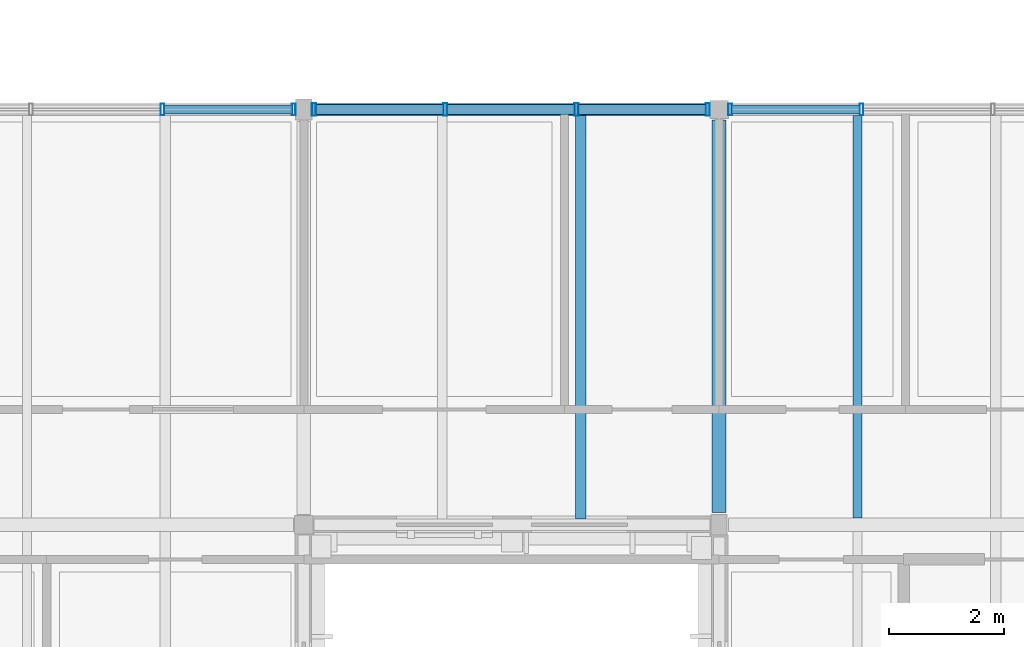
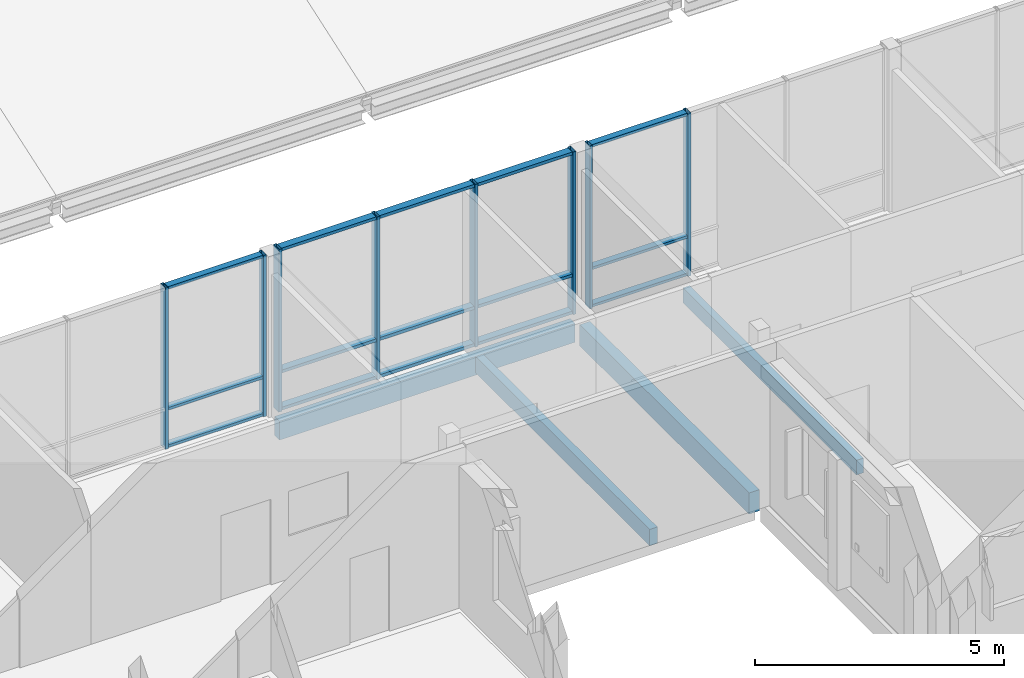
# One storey, part 14 of 115: 23 members, 4 beams, 3 elements without a shape of their own.
"""IFC4 building model written with IfcOpenShell, lengths in metres."""

import ifcopenshell
import ifcopenshell.guid

model = None  # the IFC model being written
_history = None  # IfcOwnerHistory: only IFC2X3 demands one
_inside = {}  # id of a spatial element -> (the spatial element, [elements in it])
_under = {}  # id of a project, library or spatial element -> (it, [spatial elements below it])
_declared = {}  # id of a project -> (the project, [libraries it declares])
_typed = {}  # id of a type object -> (the type object, [elements of that type])
_made_of = {}  # id of a material, layer set ... -> (it, [elements and type objects made of it])


def new_model(schema):
    """Start an empty IFC model of exactly this schema.

    Asked for "IFC4X3", IfcOpenShell would pick the latest addendum, in which some entities
    have other attributes; the version numbers below select the first issue.
    IFC2X3 requires an IfcOwnerHistory on every rooted entity: one is made here for all.
    """
    global model, _history
    if schema == "IFC4X3":
        model = ifcopenshell.file(schema_version=(4, 3, 0, 0))
    else:
        model = ifcopenshell.file(schema=schema)
    _inside.clear()
    _under.clear()
    _declared.clear()
    _typed.clear()
    _made_of.clear()
    _history = None
    if model.schema == "IFC2X3":
        org = make("IfcOrganization", Name="unknown")
        user = make(
            "IfcPersonAndOrganization",
            ThePerson=make("IfcPerson", FamilyName="unknown"),
            TheOrganization=org,
        )
        app = make(
            "IfcApplication",
            ApplicationDeveloper=org,
            Version="unknown",
            ApplicationFullName="unknown",
            ApplicationIdentifier="unknown",
        )
        _history = make(
            "IfcOwnerHistory",
            OwningUser=user,
            OwningApplication=app,
            ChangeAction="ADDED",
            CreationDate=0,
        )
    return model


def make(cls, **values):
    """One entity of the class cls with the attributes given. An attribute that is None is left unset."""
    return model.create_entity(
        cls, **{name: value for name, value in values.items() if value is not None}
    )


def rooted(cls, **values):
    """An entity with a GlobalId (a new one), such as an element, a storey or a relation."""
    return make(cls, GlobalId=ifcopenshell.guid.new(), OwnerHistory=_history, **values)


def si_unit(unit_type, name, prefix=None):
    """IfcSIUnit, for example si_unit("LENGTHUNIT", "METRE", prefix="MILLI")."""
    return make("IfcSIUnit", UnitType=unit_type, Prefix=prefix, Name=name)


def assignment(units):
    """IfcUnitAssignment: the units of a project."""
    return None if units is None else make("IfcUnitAssignment", Units=units)


def point(xyz):
    """IfcCartesianPoint."""
    return None if xyz is None else make("IfcCartesianPoint", Coordinates=xyz)


def direction(xyz):
    """IfcDirection."""
    return None if xyz is None else make("IfcDirection", DirectionRatios=xyz)


def frame(location, z_axis=None, x_axis=None):
    """IfcAxis2Placement3D, a coordinate frame: its origin and axes. An axis left out is left unset."""
    return make(
        "IfcAxis2Placement3D",
        Location=point(location),
        Axis=direction(z_axis),
        RefDirection=direction(x_axis),
    )


def frame_2d(location, x_axis=None):
    """IfcAxis2Placement2D, a coordinate frame in the plane: its origin and x axis."""
    return make(
        "IfcAxis2Placement2D", Location=point(location), RefDirection=direction(x_axis)
    )


def origin():
    """The frame at (0, 0, 0) with its axes left unset."""
    return frame((0.0, 0.0, 0.0))


def origin_2d():
    """The frame at (0, 0) in the plane with its x axis left unset."""
    return frame_2d((0.0, 0.0))


def place(relative_to, where):
    """IfcLocalPlacement: puts the frame where relative to a parent placement (None: the world)."""
    return make(
        "IfcLocalPlacement", PlacementRelTo=relative_to, RelativePlacement=where
    )


def context(
    kind, dimensions, precision=None, world=None, true_north=None, identifier=None
):
    """IfcGeometricRepresentationContext, for example the 3D "Model" context."""
    return make(
        "IfcGeometricRepresentationContext",
        ContextIdentifier=identifier,
        ContextType=kind,
        CoordinateSpaceDimension=dimensions,
        Precision=precision,
        WorldCoordinateSystem=world,
        TrueNorth=true_north,
    )


def subcontext(parent, identifier, kind, view, scale=None):
    """IfcGeometricRepresentationSubContext, for example "Body" below "Model"."""
    return make(
        "IfcGeometricRepresentationSubContext",
        ContextIdentifier=identifier,
        ContextType=kind,
        ParentContext=parent,
        TargetScale=scale,
        TargetView=view,
    )


def project(units=None, contexts=None):
    """IfcProject with its units and contexts."""
    return rooted(
        "IfcProject",
        Name="project",
        RepresentationContexts=contexts,
        UnitsInContext=assignment(units),
    )


def spatial(cls, under=None, at=None, **own):
    """A site, building, storey or space (cls), placed at a placement, below another one or the project."""
    s = rooted(cls, ObjectPlacement=at, **own)
    if under is not None:
        _under.setdefault(under.id(), (under, []))[1].append(s)
    return s


def profile(cls, at=None, kind="AREA", **sizes):
    """A parametric profile (cls). Its sizes go by their IFC names, for example OverallWidth=200.0."""
    return make(cls, ProfileType=kind, Position=at, **sizes)


def rectangle(**sizes):
    """IfcRectangleProfileDef."""
    return profile("IfcRectangleProfileDef", **sizes)


def hollow_rectangle(**sizes):
    """IfcRectangleHollowProfileDef."""
    return profile("IfcRectangleHollowProfileDef", **sizes)


def extrude(swept, where, along, depth):
    """IfcExtrudedAreaSolid: the profile swept, set in the frame where, extruded along a direction by depth."""
    return make(
        "IfcExtrudedAreaSolid",
        SweptArea=swept,
        Position=where,
        ExtrudedDirection=direction(along),
        Depth=depth,
    )


def shape(context_of_items, identifier, shape_type, items):
    """IfcShapeRepresentation: the items that make up one representation, for example the "Body"."""
    return make(
        "IfcShapeRepresentation",
        ContextOfItems=context_of_items,
        RepresentationIdentifier=identifier,
        RepresentationType=shape_type,
        Items=items,
    )


def material(Name=None, Category=None):
    """IfcMaterial."""
    return make("IfcMaterial", Name=Name, Category=Category)


def material_profile(
    of_material, cross_section, Name=None, Category=None, Priority=None
):
    """IfcMaterialProfile: a cross section and its material."""
    return make(
        "IfcMaterialProfile",
        Name=Name,
        Material=of_material,
        Profile=cross_section,
        Priority=Priority,
        Category=Category,
    )


def profile_set(profiles, Name=None, composite=None):
    """IfcMaterialProfileSet."""
    return make(
        "IfcMaterialProfileSet",
        Name=Name,
        MaterialProfiles=profiles,
        CompositeProfile=composite,
    )


def made_of(thing, what):
    """Note that an element or type object is made of a material, layer set ...; save() writes the relation."""
    if what is not None:
        _made_of.setdefault(what.id(), (what, []))[1].append(thing)
    return thing


def type_object(cls, material=None, **own):
    """A type object (cls), such as IfcWallType, which elements share."""
    return made_of(rooted(cls, **own), material)


def element(
    cls,
    number,
    at=None,
    inside=None,
    cuts=None,
    type_object=None,
    material=None,
    context=None,
    identifier="Body",
    shape_type=None,
    held_by="IfcProductDefinitionShape",
    body=None,
    shapes=None,
    **own,
):
    """One element of the class cls, such as IfcWall. Its Tag is "e" and its number.

    at: its placement. inside: the storey or other place that contains it. cuts: it is an
    opening in that element (IfcRelVoidsElement). A single representation is given by context,
    identifier, shape_type and body (its items); several are given by shapes. held_by: the class
    of the entity that holds the representations. save() writes the other relations.
    """
    e = rooted(cls, Tag="e%d" % number, ObjectPlacement=at, **own)
    if body is not None:
        shapes = [shape(context, identifier, shape_type, body)]
    if shapes is not None:
        e.Representation = make(held_by, Representations=shapes)
    if inside is not None:
        _inside.setdefault(inside.id(), (inside, []))[1].append(e)
    if cuts is not None:
        rooted(
            "IfcRelVoidsElement", RelatingBuildingElement=cuts, RelatedOpeningElement=e
        )
    if type_object is not None:
        _typed.setdefault(type_object.id(), (type_object, []))[1].append(e)
    return made_of(e, material)


def aggregate(whole, parts):
    """IfcRelAggregates: a whole, such as a stair, and the parts it consists of."""
    return rooted("IfcRelAggregates", RelatingObject=whole, RelatedObjects=parts)


def save(model, path):
    """Write the relations noted so far, then the file.

    IfcRelAggregates (storeys below a building ...), IfcRelContainedInSpatialStructure (elements
    in a storey), IfcRelDefinesByType, IfcRelAssociatesMaterial and IfcRelDeclares: one each for
    every whole, place, type object, material and project.
    """
    for whole, parts in _under.values():
        aggregate(whole, parts)
    for where, things in _inside.values():
        rooted(
            "IfcRelContainedInSpatialStructure",
            RelatedElements=things,
            RelatingStructure=where,
        )
    for kind, things in _typed.values():
        rooted("IfcRelDefinesByType", RelatedObjects=things, RelatingType=kind)
    for what, things in _made_of.values():
        rooted("IfcRelAssociatesMaterial", RelatedObjects=things, RelatingMaterial=what)
    for by, libraries in _declared.values():
        rooted("IfcRelDeclares", RelatingContext=by, RelatedDefinitions=libraries)
    model.write(path)


model = new_model("IFC4")

# Units and contexts
model_context = context("Model", 3, precision=1e-05, world=origin(), true_north=direction((0.0, 1.0)))
body_context = subcontext(model_context, "Body", "Model", "MODEL_VIEW")
ifc_project = project(units=[si_unit("LENGTHUNIT", "METRE"), si_unit("AREAUNIT", "SQUARE_METRE"), si_unit("VOLUMEUNIT", "CUBIC_METRE"), si_unit("PLANEANGLEUNIT", "RADIAN"), si_unit("MASSUNIT", "GRAM", prefix="KILO")], contexts=[model_context])

# Site, building, storey
site_placement = place(None, origin())
site = spatial("IfcSite", under=ifc_project, at=site_placement, CompositionType="ELEMENT")
building_placement = place(site_placement, origin())
building = spatial("IfcBuilding", under=site, at=building_placement, Name="Hawrajan Terrace Health Centre", CompositionType="ELEMENT")
storey_placement = place(building_placement, frame((0.0, 0.0, 9.0)))
storey = spatial("IfcBuildingStorey", under=building, at=storey_placement, Name="L02", CompositionType="ELEMENT", Elevation=9.0)

# Curtain wall, members
ifc_material_1 = material(Name="Anodized bronze aluminium and low-E solar glazing", Category="aluminium")
curtain_wall_type_1 = type_object("IfcCurtainWallType", Name="CW_Court_SeriesB1", PredefinedType="USERDEFINED", material=ifc_material_1)
curtain_wall_1_placement = place(storey_placement, origin())
curtain_wall_1 = element("IfcCurtainWall", 1, at=curtain_wall_1_placement, inside=storey, type_object=curtain_wall_type_1, Name="Curtain wall CW-L02-124", ObjectType="UNITISED CURTAIN WALL", PredefinedType="USERDEFINED")
ifc_material_2 = material(Name="Anodized bronze aluminium 6063-T6", Category="aluminium")
ifc_material_profile_1 = material_profile(ifc_material_2, hollow_rectangle(XDim=0.06494140625, YDim=0.199951171875, WallThickness=0.00439453125, at=origin_2d()), Name="CW MUL 65x200")
ifc_profile_set_1 = profile_set([ifc_material_profile_1], Name="Anodized bronze aluminium 6063-T6")
member_type_1 = type_object("IfcMemberType", Name="CWMullion_65x200", PredefinedType="MULLION", material=ifc_profile_set_1)
member_1_placement = place(storey_placement, frame((38.149169921875, 18.60009765625, -0.0048828125), z_axis=(0.0, 0.0, 1.0), x_axis=(1.0, 0.0, 0.0)))
member_1 = element("IfcMember", 2, at=member_1_placement, type_object=member_type_1, Name="Mullion CW-L02-124-M3", PredefinedType="MULLION", context=body_context, shape_type="SweptSolid", body=[
    extrude(hollow_rectangle(XDim=0.06494140625, YDim=0.199951171875, WallThickness=0.00439453125, at=origin_2d()), origin(), (0.0, 0.0, 1.0), 3.9599609375),
])
member_2_placement = place(storey_placement, frame((40.427490234375, 18.60009765625, -0.0048828125), z_axis=(0.0, 0.0, 1.0), x_axis=(1.0, 0.0, 0.0)))
member_2 = element("IfcMember", 3, at=member_2_placement, type_object=member_type_1, Name="Mullion CW-L02-124-M4", PredefinedType="MULLION", context=body_context, shape_type="SweptSolid", body=[
    extrude(hollow_rectangle(XDim=0.06494140625, YDim=0.199951171875, WallThickness=0.00439453125, at=origin_2d()), origin(), (0.0, 0.0, 1.0), 3.9599609375),
])

curtain_wall_type_2 = type_object("IfcCurtainWallType", Name="CW_Hall_SeriesD1", PredefinedType="USERDEFINED", material=ifc_material_1)
curtain_wall_2_placement = place(storey_placement, origin())
curtain_wall_2 = element("IfcCurtainWall", 4, at=curtain_wall_2_placement, inside=storey, type_object=curtain_wall_type_2, Name="Curtain wall CW-L02-130", ObjectType="UNITISED CURTAIN WALL", PredefinedType="USERDEFINED")
member_3_placement = place(storey_placement, frame((47.992431640625, 18.60009765625, -0.0048828125), z_axis=(0.0, 0.0, 1.0), x_axis=(1.0, 0.0, 0.0)))
member_3 = element("IfcMember", 5, at=member_3_placement, type_object=member_type_1, Name="Mullion CW-L02-130-M1", PredefinedType="MULLION", context=body_context, shape_type="SweptSolid", body=[
    extrude(hollow_rectangle(XDim=0.06494140625, YDim=0.199951171875, WallThickness=0.00439453125, at=origin_2d()), origin(), (0.0, 0.0, 1.0), 4.0),
])
member_4_placement = place(storey_placement, frame((50.270751953125, 18.60009765625, -0.0048828125), z_axis=(0.0, 0.0, 1.0), x_axis=(1.0, 0.0, 0.0)))
member_4 = element("IfcMember", 6, at=member_4_placement, type_object=member_type_1, Name="Mullion CW-L02-130-M2", PredefinedType="MULLION", context=body_context, shape_type="SweptSolid", body=[
    extrude(hollow_rectangle(XDim=0.06494140625, YDim=0.199951171875, WallThickness=0.00439453125, at=origin_2d()), origin(), (0.0, 0.0, 1.0), 4.0),
])

curtain_wall_type_3 = type_object("IfcCurtainWallType", Name="CW_CourtNS_SeriesC2", PredefinedType="USERDEFINED", material=ifc_material_1)
curtain_wall_3_placement = place(storey_placement, origin())
curtain_wall_3 = element("IfcCurtainWall", 7, at=curtain_wall_3_placement, inside=storey, type_object=curtain_wall_type_3, Name="Curtain wall CW-L02-128", ObjectType="UNITISED CURTAIN WALL", PredefinedType="USERDEFINED")
ifc_material_profile_2 = material_profile(ifc_material_2, hollow_rectangle(XDim=0.074951171875, YDim=0.219970703125, WallThickness=0.0048828125, at=origin_2d()), Name="CW MUL 75x220")
ifc_profile_set_2 = profile_set([ifc_material_profile_2], Name="Anodized bronze aluminium 6063-T6")
member_type_2 = type_object("IfcMemberType", Name="CWMullion_75x220", PredefinedType="MULLION", material=ifc_profile_set_2)
member_5_placement = place(storey_placement, frame((40.777587890625, 18.60009765625, -0.0048828125), z_axis=(0.0, 0.0, 1.0), x_axis=(1.0, 0.0, 0.0)))
member_5 = element("IfcMember", 8, at=member_5_placement, type_object=member_type_2, Name="Mullion CW-L02-128-M1", PredefinedType="MULLION", context=body_context, shape_type="SweptSolid", body=[
    extrude(hollow_rectangle(XDim=0.074951171875, YDim=0.219970703125, WallThickness=0.0048828125, at=origin_2d()), origin(), (0.0, 0.0, 1.0), 3.989990234375),
])
member_6_placement = place(storey_placement, frame((43.052490234375, 18.60009765625, -0.0048828125), z_axis=(0.0, 0.0, 1.0), x_axis=(1.0, 0.0, 0.0)))
member_6 = element("IfcMember", 9, at=member_6_placement, type_object=member_type_2, Name="Mullion CW-L02-128-M2", PredefinedType="MULLION", context=body_context, shape_type="SweptSolid", body=[
    extrude(hollow_rectangle(XDim=0.074951171875, YDim=0.219970703125, WallThickness=0.0048828125, at=origin_2d()), origin(), (0.0, 0.0, 1.0), 3.989990234375),
])
member_7_placement = place(storey_placement, frame((45.327392578125, 18.60009765625, -0.0048828125), z_axis=(0.0, 0.0, 1.0), x_axis=(1.0, 0.0, 0.0)))
member_7 = element("IfcMember", 10, at=member_7_placement, type_object=member_type_2, Name="Mullion CW-L02-128-M3", PredefinedType="MULLION", context=body_context, shape_type="SweptSolid", body=[
    extrude(hollow_rectangle(XDim=0.074951171875, YDim=0.219970703125, WallThickness=0.0048828125, at=origin_2d()), origin(), (0.0, 0.0, 1.0), 3.989990234375),
])
member_8_placement = place(storey_placement, frame((47.6025390625, 18.60009765625, -0.0048828125), z_axis=(0.0, 0.0, 1.0), x_axis=(1.0, 0.0, 0.0)))
member_8 = element("IfcMember", 11, at=member_8_placement, type_object=member_type_2, Name="Mullion CW-L02-128-M4", PredefinedType="MULLION", context=body_context, shape_type="SweptSolid", body=[
    extrude(hollow_rectangle(XDim=0.074951171875, YDim=0.219970703125, WallThickness=0.0048828125, at=origin_2d()), origin(), (0.0, 0.0, 1.0), 3.989990234375),
])

# Member
ifc_material_profile_3 = material_profile(ifc_material_2, hollow_rectangle(XDim=0.06494140625, YDim=0.14990234375, WallThickness=0.00390625, at=origin_2d()), Name="CW TRN 65x150")
ifc_profile_set_3 = profile_set([ifc_material_profile_3], Name="Anodized bronze aluminium 6063-T6")
member_type_3 = type_object("IfcMemberType", Name="CWTransom_65x150", PredefinedType="USERDEFINED", material=ifc_profile_set_3)
member_9_placement = place(storey_placement, frame((38.17578125, 18.60009765625, 0.032470703125), z_axis=(1.0, 0.0, 0.0), x_axis=(0.0, 0.0, 1.0)))
member_9 = element("IfcMember", 12, at=member_9_placement, type_object=member_type_3, Name="Transom CW-L02-124-T3-1", ObjectType="TRANSOM", PredefinedType="USERDEFINED", context=body_context, shape_type="SweptSolid", body=[
    extrude(hollow_rectangle(XDim=0.06494140625, YDim=0.14990234375, WallThickness=0.00390625, at=origin_2d()), origin(), (0.0, 0.0, 1.0), 2.22509765625),
])

member_10_placement = place(storey_placement, frame((38.17578125, 18.60009765625, 0.949951171875), z_axis=(1.0, 0.0, 0.0), x_axis=(0.0, 0.0, 1.0)))
member_10 = element("IfcMember", 13, at=member_10_placement, type_object=member_type_3, Name="Transom CW-L02-124-T3-2", ObjectType="TRANSOM", PredefinedType="USERDEFINED", context=body_context, shape_type="SweptSolid", body=[
    extrude(hollow_rectangle(XDim=0.06494140625, YDim=0.14990234375, WallThickness=0.00390625, at=origin_2d()), origin(), (0.0, 0.0, 1.0), 2.22509765625),
])

member_11_placement = place(storey_placement, frame((38.17578125, 18.60009765625, 3.91748046875), z_axis=(1.0, 0.0, 0.0), x_axis=(0.0, 0.0, 1.0)))
member_11 = element("IfcMember", 14, at=member_11_placement, type_object=member_type_3, Name="Transom CW-L02-124-T3-3", ObjectType="TRANSOM", PredefinedType="USERDEFINED", context=body_context, shape_type="SweptSolid", body=[
    extrude(hollow_rectangle(XDim=0.06494140625, YDim=0.14990234375, WallThickness=0.00390625, at=origin_2d()), origin(), (0.0, 0.0, 1.0), 2.22509765625),
])

aggregate(curtain_wall_1, [member_1, member_2, member_9, member_10, member_11])

member_12_placement = place(storey_placement, frame((48.01904296875, 18.60009765625, 0.032470703125), z_axis=(1.0, 0.0, 0.0), x_axis=(0.0, 0.0, 1.0)))
member_12 = element("IfcMember", 15, at=member_12_placement, type_object=member_type_3, Name="Transom CW-L02-130-T1-1", ObjectType="TRANSOM", PredefinedType="USERDEFINED", context=body_context, shape_type="SweptSolid", body=[
    extrude(hollow_rectangle(XDim=0.06494140625, YDim=0.14990234375, WallThickness=0.00390625, at=origin_2d()), origin(), (0.0, 0.0, 1.0), 2.225341796875),
])

member_13_placement = place(storey_placement, frame((48.01904296875, 18.60009765625, 0.949951171875), z_axis=(1.0, 0.0, 0.0), x_axis=(0.0, 0.0, 1.0)))
member_13 = element("IfcMember", 16, at=member_13_placement, type_object=member_type_3, Name="Transom CW-L02-130-T1-2", ObjectType="TRANSOM", PredefinedType="USERDEFINED", context=body_context, shape_type="SweptSolid", body=[
    extrude(hollow_rectangle(XDim=0.06494140625, YDim=0.14990234375, WallThickness=0.00390625, at=origin_2d()), origin(), (0.0, 0.0, 1.0), 2.225341796875),
])

member_14_placement = place(storey_placement, frame((48.01904296875, 18.60009765625, 3.95751953125), z_axis=(1.0, 0.0, 0.0), x_axis=(0.0, 0.0, 1.0)))
member_14 = element("IfcMember", 17, at=member_14_placement, type_object=member_type_3, Name="Transom CW-L02-130-T1-3", ObjectType="TRANSOM", PredefinedType="USERDEFINED", context=body_context, shape_type="SweptSolid", body=[
    extrude(hollow_rectangle(XDim=0.06494140625, YDim=0.14990234375, WallThickness=0.00390625, at=origin_2d()), origin(), (0.0, 0.0, 1.0), 2.225341796875),
])

aggregate(curtain_wall_2, [member_3, member_4, member_12, member_13, member_14])

ifc_material_profile_4 = material_profile(ifc_material_2, hollow_rectangle(XDim=0.074951171875, YDim=0.169921875, WallThickness=0.00439453125, at=origin_2d()), Name="CW TRN 75x170")
ifc_profile_set_4 = profile_set([ifc_material_profile_4], Name="Anodized bronze aluminium 6063-T6")
member_type_4 = type_object("IfcMemberType", Name="CWTransom_75x170", PredefinedType="USERDEFINED", material=ifc_profile_set_4)
member_15_placement = place(storey_placement, frame((40.80908203125, 18.60009765625, 0.03759765625), z_axis=(1.0, 0.0, 0.0), x_axis=(0.0, 0.0, 1.0)))
member_15 = element("IfcMember", 18, at=member_15_placement, type_object=member_type_4, Name="Transom CW-L02-128-T1-1", ObjectType="TRANSOM", PredefinedType="USERDEFINED", context=body_context, shape_type="SweptSolid", body=[
    extrude(hollow_rectangle(XDim=0.074951171875, YDim=0.169921875, WallThickness=0.00439453125, at=origin_2d()), origin(), (0.0, 0.0, 1.0), 2.2119140625),
])

member_16_placement = place(storey_placement, frame((40.80908203125, 18.60009765625, 0.949951171875), z_axis=(1.0, 0.0, 0.0), x_axis=(0.0, 0.0, 1.0)))
member_16 = element("IfcMember", 19, at=member_16_placement, type_object=member_type_4, Name="Transom CW-L02-128-T1-2", ObjectType="TRANSOM", PredefinedType="USERDEFINED", context=body_context, shape_type="SweptSolid", body=[
    extrude(hollow_rectangle(XDim=0.074951171875, YDim=0.169921875, WallThickness=0.00439453125, at=origin_2d()), origin(), (0.0, 0.0, 1.0), 2.2119140625),
])

member_17_placement = place(storey_placement, frame((40.80908203125, 18.60009765625, 3.9423828125), z_axis=(1.0, 0.0, 0.0), x_axis=(0.0, 0.0, 1.0)))
member_17 = element("IfcMember", 20, at=member_17_placement, type_object=member_type_4, Name="Transom CW-L02-128-T1-3", ObjectType="TRANSOM", PredefinedType="USERDEFINED", context=body_context, shape_type="SweptSolid", body=[
    extrude(hollow_rectangle(XDim=0.074951171875, YDim=0.169921875, WallThickness=0.00439453125, at=origin_2d()), origin(), (0.0, 0.0, 1.0), 2.2119140625),
])

member_18_placement = place(storey_placement, frame((43.083984375, 18.60009765625, 0.03759765625), z_axis=(1.0, 0.0, 0.0), x_axis=(0.0, 0.0, 1.0)))
member_18 = element("IfcMember", 21, at=member_18_placement, type_object=member_type_4, Name="Transom CW-L02-128-T2-1", ObjectType="TRANSOM", PredefinedType="USERDEFINED", context=body_context, shape_type="SweptSolid", body=[
    extrude(hollow_rectangle(XDim=0.074951171875, YDim=0.169921875, WallThickness=0.00439453125, at=origin_2d()), origin(), (0.0, 0.0, 1.0), 2.2119140625),
])

member_19_placement = place(storey_placement, frame((43.083984375, 18.60009765625, 0.949951171875), z_axis=(1.0, 0.0, 0.0), x_axis=(0.0, 0.0, 1.0)))
member_19 = element("IfcMember", 22, at=member_19_placement, type_object=member_type_4, Name="Transom CW-L02-128-T2-2", ObjectType="TRANSOM", PredefinedType="USERDEFINED", context=body_context, shape_type="SweptSolid", body=[
    extrude(hollow_rectangle(XDim=0.074951171875, YDim=0.169921875, WallThickness=0.00439453125, at=origin_2d()), origin(), (0.0, 0.0, 1.0), 2.2119140625),
])

member_20_placement = place(storey_placement, frame((43.083984375, 18.60009765625, 3.9423828125), z_axis=(1.0, 0.0, 0.0), x_axis=(0.0, 0.0, 1.0)))
member_20 = element("IfcMember", 23, at=member_20_placement, type_object=member_type_4, Name="Transom CW-L02-128-T2-3", ObjectType="TRANSOM", PredefinedType="USERDEFINED", context=body_context, shape_type="SweptSolid", body=[
    extrude(hollow_rectangle(XDim=0.074951171875, YDim=0.169921875, WallThickness=0.00439453125, at=origin_2d()), origin(), (0.0, 0.0, 1.0), 2.2119140625),
])

member_21_placement = place(storey_placement, frame((45.35888671875, 18.60009765625, 0.03759765625), z_axis=(1.0, 0.0, 0.0), x_axis=(0.0, 0.0, 1.0)))
member_21 = element("IfcMember", 24, at=member_21_placement, type_object=member_type_4, Name="Transom CW-L02-128-T3-1", ObjectType="TRANSOM", PredefinedType="USERDEFINED", context=body_context, shape_type="SweptSolid", body=[
    extrude(hollow_rectangle(XDim=0.074951171875, YDim=0.169921875, WallThickness=0.00439453125, at=origin_2d()), origin(), (0.0, 0.0, 1.0), 2.212158203125),
])

member_22_placement = place(storey_placement, frame((45.35888671875, 18.60009765625, 0.949951171875), z_axis=(1.0, 0.0, 0.0), x_axis=(0.0, 0.0, 1.0)))
member_22 = element("IfcMember", 25, at=member_22_placement, type_object=member_type_4, Name="Transom CW-L02-128-T3-2", ObjectType="TRANSOM", PredefinedType="USERDEFINED", context=body_context, shape_type="SweptSolid", body=[
    extrude(hollow_rectangle(XDim=0.074951171875, YDim=0.169921875, WallThickness=0.00439453125, at=origin_2d()), origin(), (0.0, 0.0, 1.0), 2.212158203125),
])

member_23_placement = place(storey_placement, frame((45.35888671875, 18.60009765625, 3.9423828125), z_axis=(1.0, 0.0, 0.0), x_axis=(0.0, 0.0, 1.0)))
member_23 = element("IfcMember", 26, at=member_23_placement, type_object=member_type_4, Name="Transom CW-L02-128-T3-3", ObjectType="TRANSOM", PredefinedType="USERDEFINED", context=body_context, shape_type="SweptSolid", body=[
    extrude(hollow_rectangle(XDim=0.074951171875, YDim=0.169921875, WallThickness=0.00439453125, at=origin_2d()), origin(), (0.0, 0.0, 1.0), 2.212158203125),
])

aggregate(curtain_wall_3, [member_5, member_6, member_7, member_8, member_15, member_16, member_17, member_18, member_19, member_20, member_21, member_22, member_23])

# Beams
ifc_material_3 = material(Name="Glulam GL32h", Category="wood")
ifc_material_profile_5 = material_profile(ifc_material_3, rectangle(XDim=0.239990234375, YDim=0.52001953125, at=origin_2d()), Name="GL BM 240x520")
ifc_profile_set_5 = profile_set([ifc_material_profile_5], Name="Glulam GL32h")
beam_type_1 = type_object("IfcBeamType", Name="GlulamGirder_240x520", PredefinedType="BEAM", material=ifc_profile_set_5)
beam_1_placement = place(storey_placement, frame((47.800048828125, 11.610107421875, -0.5), z_axis=(0.0, 1.0, 0.0), x_axis=(-1.0, 0.0, 0.0)))
element("IfcBeam", 27, at=beam_1_placement, inside=storey, type_object=beam_type_1, Name="Beam BM-Y-L02-W-X07-2", PredefinedType="BEAM", context=body_context, shape_type="SweptSolid", body=[
    extrude(rectangle(XDim=0.239990234375, YDim=0.52001953125, at=origin_2d()), origin(), (0.0, 0.0, 1.0), 6.809814453125),
])
ifc_material_4 = material(Name="Glulam GL28h", Category="wood")
ifc_material_profile_6 = material_profile(ifc_material_4, rectangle(XDim=0.159912109375, YDim=0.360107421875, at=origin_2d()), Name="GL JST 160x360")
ifc_profile_set_6 = profile_set([ifc_material_profile_6], Name="Glulam GL28h")
beam_type_2 = type_object("IfcBeamType", Name="GlulamJoist_160x360", PredefinedType="JOIST", material=ifc_profile_set_6)
beam_2_placement = place(storey_placement, frame((50.199951171875, 11.52001953125, -0.419921875), z_axis=(0.0, 1.0, 0.0), x_axis=(-1.0, 0.0, 0.0)))
element("IfcBeam", 28, at=beam_2_placement, inside=storey, type_object=beam_type_2, Name="Secondary joist JST-L02-W-07-2-1", PredefinedType="JOIST", context=body_context, shape_type="SweptSolid", body=[
    extrude(rectangle(XDim=0.159912109375, YDim=0.360107421875, at=origin_2d()), origin(), (0.0, 0.0, 1.0), 6.97998046875),
])
ifc_material_profile_7 = material_profile(ifc_material_4, rectangle(XDim=0.179931640625, YDim=0.39990234375, at=origin_2d()), Name="GL JST 180x400")
ifc_profile_set_7 = profile_set([ifc_material_profile_7], Name="Glulam GL28h")
beam_type_3 = type_object("IfcBeamType", Name="GlulamJoist_180x400", PredefinedType="JOIST", material=ifc_profile_set_7)
beam_3_placement = place(storey_placement, frame((45.39990234375, 11.5, -0.43994140625), z_axis=(0.0, 1.0, 0.0), x_axis=(-1.0, 0.0, 0.0)))
element("IfcBeam", 29, at=beam_3_placement, inside=storey, type_object=beam_type_3, Name="Secondary joist JST-L02-W-06-2-2", PredefinedType="JOIST", context=body_context, shape_type="SweptSolid", body=[
    extrude(rectangle(XDim=0.179931640625, YDim=0.39990234375, at=origin_2d()), origin(), (0.0, 0.0, 1.0), 7.0),
])
ifc_material_profile_8 = material_profile(ifc_material_3, rectangle(XDim=0.199951171875, YDim=0.4599609375, at=origin_2d()), Name="GL SP 200x460")
ifc_profile_set_8 = profile_set([ifc_material_profile_8], Name="Glulam GL32h")
beam_type_4 = type_object("IfcBeamType", Name="GlulamSpandrel_200x460", PredefinedType="SPANDREL", material=ifc_profile_set_8)
beam_4_placement = place(storey_placement, frame((40.760009765625, 18.60009765625, -0.469970703125), z_axis=(1.0, 0.0, 0.0), x_axis=(0.0, 1.0, 0.0)))
element("IfcBeam", 30, at=beam_4_placement, inside=storey, type_object=beam_type_4, Name="Beam BM-X-L02-W-06-Y3", PredefinedType="SPANDREL", context=body_context, shape_type="SweptSolid", body=[
    extrude(rectangle(XDim=0.199951171875, YDim=0.4599609375, at=origin_2d()), origin(), (0.0, 0.0, 1.0), 6.860107421875),
])

save(model, "model.ifc")
